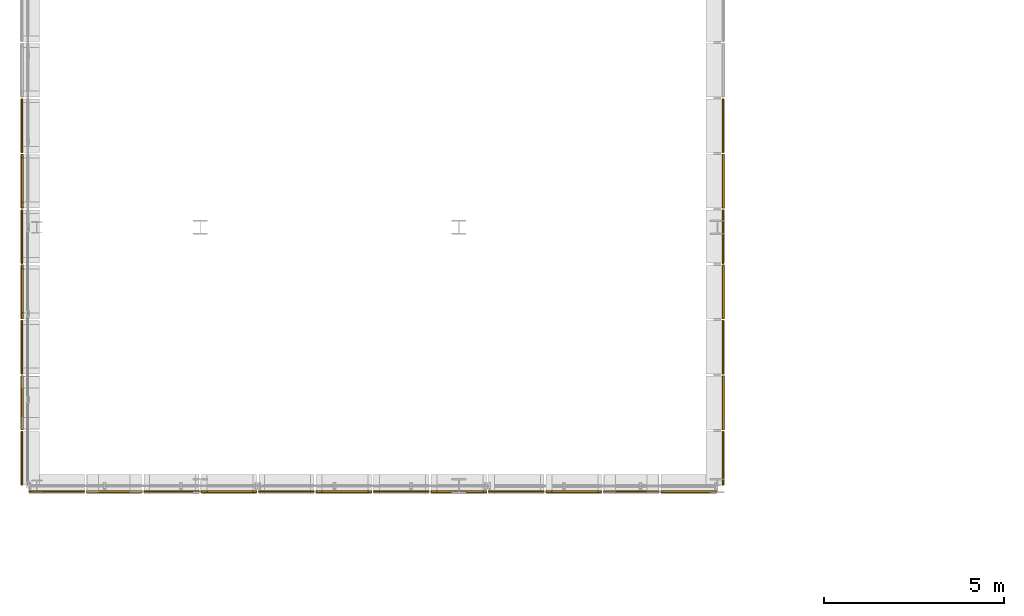
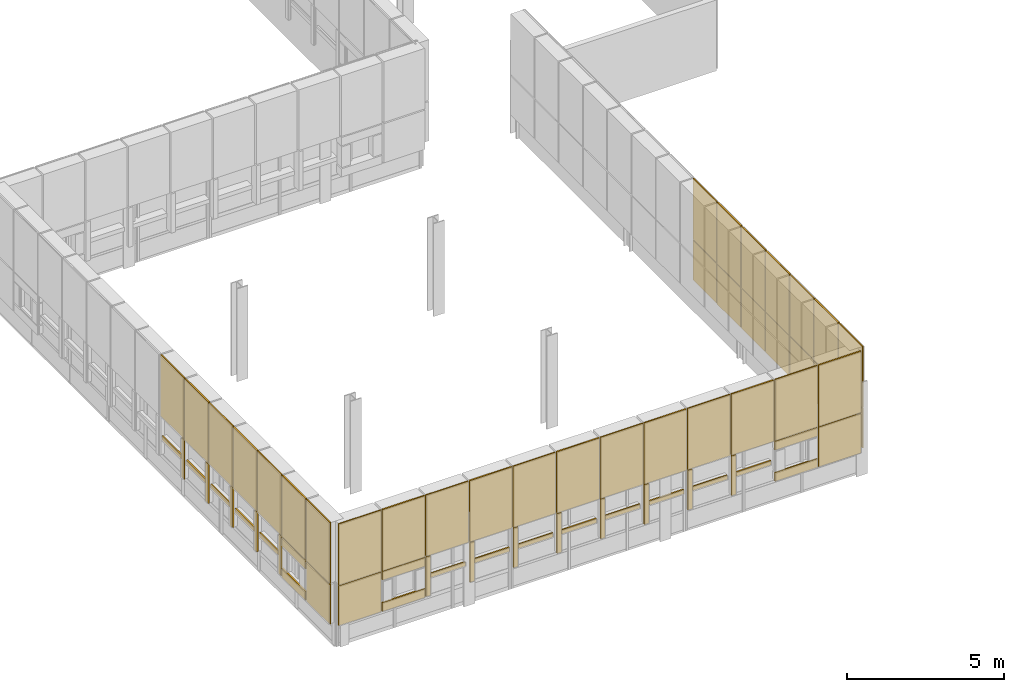
# One storey, part 75 of 96: 68 coverings.
"""IFC4 building model written with IfcOpenShell, lengths in metres."""

from ifc_helpers import new_model, si_unit, direction, frame, origin, origin_2d, place, context, subcontext, project, spatial, rectangle, extrude, material, layer, layer_set, type_object, element, save


model = new_model("IFC4")

# Units and contexts
model_context = context("Model", 3, precision=1e-05, world=origin(), true_north=direction((0.0, 1.0)))
body_context = subcontext(model_context, "Body", "Model", "MODEL_VIEW")
ifc_project = project(units=[si_unit("LENGTHUNIT", "METRE"), si_unit("AREAUNIT", "SQUARE_METRE"), si_unit("VOLUMEUNIT", "CUBIC_METRE"), si_unit("PLANEANGLEUNIT", "RADIAN"), si_unit("MASSUNIT", "GRAM", prefix="KILO")], contexts=[model_context])

# Site, building, storey
site_placement = place(None, origin())
site = spatial("IfcSite", under=ifc_project, at=site_placement, CompositionType="ELEMENT")
building_placement = place(site_placement, origin())
building = spatial("IfcBuilding", under=site, at=building_placement, Name="Yarey Park Central Fire Station", CompositionType="ELEMENT")
storey_placement = place(building_placement, frame((0.0, 0.0, 14.39990234375)))
storey = spatial("IfcBuildingStorey", under=building, at=storey_placement, Name="L04", CompositionType="ELEMENT", Elevation=14.39990234375)

# Coverings
ifc_material = material(Name="Perforated Powder-Coated Aluminium Cladding", Category="aluminium")
ifc_layer_1 = layer(ifc_material, 0.0419921875)
ifc_layer_set_1 = layer_set([ifc_layer_1], Name="Perforated Powder-Coated Aluminium Cladding")
covering_type_1 = type_object("IfcCoveringType", Name="ENV_COV_PERF_1", PredefinedType="CLADDING", material=ifc_layer_set_1)
covering_1_placement = place(storey_placement, frame((9.43994140625, 22.371337890625, 0.864990234375), z_axis=(0.0, 0.0, 1.0), x_axis=(0.0, 1.0, 0.0)))
element("IfcCovering", 1, at=covering_1_placement, inside=storey, type_object=covering_type_1, Name="PERF_L04_0004", PredefinedType="CLADDING", context=body_context, shape_type="SweptSolid", body=[
    extrude(rectangle(XDim=1.5029296875, YDim=0.0419921875, at=origin_2d()), origin(), (0.0, 0.0, 1.0), 1.5400390625),
])
covering_2_placement = place(storey_placement, frame((9.43994140625, 22.371337890625, 2.43505859375), z_axis=(0.0, 0.0, 1.0), x_axis=(0.0, 1.0, 0.0)))
element("IfcCovering", 2, at=covering_2_placement, inside=storey, type_object=covering_type_1, Name="PERF_L04_0005", PredefinedType="CLADDING", context=body_context, shape_type="SweptSolid", body=[
    extrude(rectangle(XDim=1.5029296875, YDim=0.0419921875, at=origin_2d()), origin(), (0.0, 0.0, 1.0), 2.3701171875),
])
covering_3_placement = place(storey_placement, frame((9.43994140625, 24.795654296875, 0.864990234375), z_axis=(0.0, 0.0, 1.0), x_axis=(0.0, 1.0, 0.0)))
element("IfcCovering", 3, at=covering_3_placement, inside=storey, type_object=covering_type_1, Name="PERF_L04_0021", PredefinedType="CLADDING", context=body_context, shape_type="SweptSolid", body=[
    extrude(rectangle(XDim=0.159912109375, YDim=0.0419921875, at=origin_2d()), origin(), (0.0, 0.0, 1.0), 1.5400390625),
])
covering_4_placement = place(storey_placement, frame((9.43994140625, 25.45703125, 1.55517578125), z_axis=(0.0, 0.0, 1.0), x_axis=(0.0, 1.0, 0.0)))
element("IfcCovering", 4, at=covering_4_placement, inside=storey, type_object=covering_type_1, Name="PERF_L04_0022", PredefinedType="CLADDING", context=body_context, shape_type="SweptSolid", body=[
    extrude(rectangle(XDim=1.302978515625, YDim=0.0419921875, at=origin_2d()), origin(), (0.0, 0.0, 1.0), 0.159912109375),
])
covering_5_placement = place(storey_placement, frame((9.43994140625, 25.45703125, 2.43505859375), z_axis=(0.0, 0.0, 1.0), x_axis=(0.0, 1.0, 0.0)))
element("IfcCovering", 5, at=covering_5_placement, inside=storey, type_object=covering_type_1, Name="PERF_L04_0023", PredefinedType="CLADDING", context=body_context, shape_type="SweptSolid", body=[
    extrude(rectangle(XDim=1.5029296875, YDim=0.0419921875, at=origin_2d()), origin(), (0.0, 0.0, 1.0), 2.3701171875),
])
covering_6_placement = place(storey_placement, frame((9.43994140625, 27.881591796875, 0.864990234375), z_axis=(0.0, 0.0, 1.0), x_axis=(0.0, 1.0, 0.0)))
element("IfcCovering", 6, at=covering_6_placement, inside=storey, type_object=covering_type_1, Name="PERF_L04_0035", PredefinedType="CLADDING", context=body_context, shape_type="SweptSolid", body=[
    extrude(rectangle(XDim=0.159912109375, YDim=0.0419921875, at=origin_2d()), origin(), (0.0, 0.0, 1.0), 1.5400390625),
])
covering_7_placement = place(storey_placement, frame((9.43994140625, 28.54296875, 1.55517578125), z_axis=(0.0, 0.0, 1.0), x_axis=(0.0, 1.0, 0.0)))
element("IfcCovering", 7, at=covering_7_placement, inside=storey, type_object=covering_type_1, Name="PERF_L04_0036", PredefinedType="CLADDING", context=body_context, shape_type="SweptSolid", body=[
    extrude(rectangle(XDim=1.302978515625, YDim=0.0419921875, at=origin_2d()), origin(), (0.0, 0.0, 1.0), 0.159912109375),
])
covering_8_placement = place(storey_placement, frame((9.43994140625, 28.54296875, 2.43505859375), z_axis=(0.0, 0.0, 1.0), x_axis=(0.0, 1.0, 0.0)))
element("IfcCovering", 8, at=covering_8_placement, inside=storey, type_object=covering_type_1, Name="PERF_L04_0037", PredefinedType="CLADDING", context=body_context, shape_type="SweptSolid", body=[
    extrude(rectangle(XDim=1.5029296875, YDim=0.0419921875, at=origin_2d()), origin(), (0.0, 0.0, 1.0), 2.3701171875),
])
covering_9_placement = place(storey_placement, frame((9.43994140625, 30.96728515625, 0.864990234375), z_axis=(0.0, 0.0, 1.0), x_axis=(0.0, 1.0, 0.0)))
element("IfcCovering", 9, at=covering_9_placement, inside=storey, type_object=covering_type_1, Name="PERF_L04_0049", PredefinedType="CLADDING", context=body_context, shape_type="SweptSolid", body=[
    extrude(rectangle(XDim=0.159912109375, YDim=0.0419921875, at=origin_2d()), origin(), (0.0, 0.0, 1.0), 1.5400390625),
])
covering_10_placement = place(storey_placement, frame((9.43994140625, 31.628662109375, 1.55517578125), z_axis=(0.0, 0.0, 1.0), x_axis=(0.0, 1.0, 0.0)))
element("IfcCovering", 10, at=covering_10_placement, inside=storey, type_object=covering_type_1, Name="PERF_L04_0050", PredefinedType="CLADDING", context=body_context, shape_type="SweptSolid", body=[
    extrude(rectangle(XDim=1.302978515625, YDim=0.0419921875, at=origin_2d()), origin(), (0.0, 0.0, 1.0), 0.159912109375),
])
covering_11_placement = place(storey_placement, frame((9.43994140625, 31.628662109375, 2.43505859375), z_axis=(0.0, 0.0, 1.0), x_axis=(0.0, 1.0, 0.0)))
element("IfcCovering", 11, at=covering_11_placement, inside=storey, type_object=covering_type_1, Name="PERF_L04_0051", PredefinedType="CLADDING", context=body_context, shape_type="SweptSolid", body=[
    extrude(rectangle(XDim=1.5029296875, YDim=0.0419921875, at=origin_2d()), origin(), (0.0, 0.0, 1.0), 2.3701171875),
])
covering_12_placement = place(storey_placement, frame((10.39990234375, 21.43994140625, 0.864990234375), z_axis=(0.0, 0.0, 1.0), x_axis=(1.0, 0.0, 0.0)))
element("IfcCovering", 12, at=covering_12_placement, inside=storey, type_object=covering_type_1, Name="PERF_L04_0106", PredefinedType="CLADDING", context=body_context, shape_type="SweptSolid", body=[
    extrude(rectangle(XDim=1.56005859375, YDim=0.0419921875, at=origin_2d()), origin(), (0.0, 0.0, 1.0), 1.5400390625),
])
covering_13_placement = place(storey_placement, frame((10.39990234375, 21.43994140625, 2.43505859375), z_axis=(0.0, 0.0, 1.0), x_axis=(1.0, 0.0, 0.0)))
element("IfcCovering", 13, at=covering_13_placement, inside=storey, type_object=covering_type_1, Name="PERF_L04_0107", PredefinedType="CLADDING", context=body_context, shape_type="SweptSolid", body=[
    extrude(rectangle(XDim=1.56005859375, YDim=0.0419921875, at=origin_2d()), origin(), (0.0, 0.0, 1.0), 2.3701171875),
])
covering_14_placement = place(storey_placement, frame((12.909912109375, 21.43994140625, 0.864990234375), z_axis=(0.0, 0.0, 1.0), x_axis=(1.0, 0.0, 0.0)))
element("IfcCovering", 14, at=covering_14_placement, inside=storey, type_object=covering_type_1, Name="PERF_L04_0123", PredefinedType="CLADDING", context=body_context, shape_type="SweptSolid", body=[
    extrude(rectangle(XDim=0.159912109375, YDim=0.0419921875, at=origin_2d()), origin(), (0.0, 0.0, 1.0), 1.5400390625),
])
covering_15_placement = place(storey_placement, frame((13.60009765625, 21.43994140625, 1.55517578125), z_axis=(0.0, 0.0, 1.0), x_axis=(1.0, 0.0, 0.0)))
element("IfcCovering", 15, at=covering_15_placement, inside=storey, type_object=covering_type_1, Name="PERF_L04_0124", PredefinedType="CLADDING", context=body_context, shape_type="SweptSolid", body=[
    extrude(rectangle(XDim=1.360107421875, YDim=0.0419921875, at=origin_2d()), origin(), (0.0, 0.0, 1.0), 0.159912109375),
])
covering_16_placement = place(storey_placement, frame((13.60009765625, 21.43994140625, 2.43505859375), z_axis=(0.0, 0.0, 1.0), x_axis=(1.0, 0.0, 0.0)))
element("IfcCovering", 16, at=covering_16_placement, inside=storey, type_object=covering_type_1, Name="PERF_L04_0125", PredefinedType="CLADDING", context=body_context, shape_type="SweptSolid", body=[
    extrude(rectangle(XDim=1.56005859375, YDim=0.0419921875, at=origin_2d()), origin(), (0.0, 0.0, 1.0), 2.3701171875),
])
covering_17_placement = place(storey_placement, frame((16.110107421875, 21.43994140625, 0.864990234375), z_axis=(0.0, 0.0, 1.0), x_axis=(1.0, 0.0, 0.0)))
element("IfcCovering", 17, at=covering_17_placement, inside=storey, type_object=covering_type_1, Name="PERF_L04_0137", PredefinedType="CLADDING", context=body_context, shape_type="SweptSolid", body=[
    extrude(rectangle(XDim=0.159912109375, YDim=0.0419921875, at=origin_2d()), origin(), (0.0, 0.0, 1.0), 1.5400390625),
])
covering_18_placement = place(storey_placement, frame((16.800048828125, 21.43994140625, 1.55517578125), z_axis=(0.0, 0.0, 1.0), x_axis=(1.0, 0.0, 0.0)))
element("IfcCovering", 18, at=covering_18_placement, inside=storey, type_object=covering_type_1, Name="PERF_L04_0138", PredefinedType="CLADDING", context=body_context, shape_type="SweptSolid", body=[
    extrude(rectangle(XDim=1.360107421875, YDim=0.0419921875, at=origin_2d()), origin(), (0.0, 0.0, 1.0), 0.159912109375),
])
covering_19_placement = place(storey_placement, frame((16.800048828125, 21.43994140625, 2.43505859375), z_axis=(0.0, 0.0, 1.0), x_axis=(1.0, 0.0, 0.0)))
element("IfcCovering", 19, at=covering_19_placement, inside=storey, type_object=covering_type_1, Name="PERF_L04_0139", PredefinedType="CLADDING", context=body_context, shape_type="SweptSolid", body=[
    extrude(rectangle(XDim=1.56005859375, YDim=0.0419921875, at=origin_2d()), origin(), (0.0, 0.0, 1.0), 2.3701171875),
])
covering_20_placement = place(storey_placement, frame((19.31005859375, 21.43994140625, 0.864990234375), z_axis=(0.0, 0.0, 1.0), x_axis=(1.0, 0.0, 0.0)))
element("IfcCovering", 20, at=covering_20_placement, inside=storey, type_object=covering_type_1, Name="PERF_L04_0151", PredefinedType="CLADDING", context=body_context, shape_type="SweptSolid", body=[
    extrude(rectangle(XDim=0.159912109375, YDim=0.0419921875, at=origin_2d()), origin(), (0.0, 0.0, 1.0), 1.5400390625),
])
covering_21_placement = place(storey_placement, frame((20.0, 21.43994140625, 1.55517578125), z_axis=(0.0, 0.0, 1.0), x_axis=(1.0, 0.0, 0.0)))
element("IfcCovering", 21, at=covering_21_placement, inside=storey, type_object=covering_type_1, Name="PERF_L04_0152", PredefinedType="CLADDING", context=body_context, shape_type="SweptSolid", body=[
    extrude(rectangle(XDim=1.360107421875, YDim=0.0419921875, at=origin_2d()), origin(), (0.0, 0.0, 1.0), 0.159912109375),
])
covering_22_placement = place(storey_placement, frame((20.0, 21.43994140625, 2.43505859375), z_axis=(0.0, 0.0, 1.0), x_axis=(1.0, 0.0, 0.0)))
element("IfcCovering", 22, at=covering_22_placement, inside=storey, type_object=covering_type_1, Name="PERF_L04_0153", PredefinedType="CLADDING", context=body_context, shape_type="SweptSolid", body=[
    extrude(rectangle(XDim=1.56005859375, YDim=0.0419921875, at=origin_2d()), origin(), (0.0, 0.0, 1.0), 2.3701171875),
])
covering_23_placement = place(storey_placement, frame((22.510009765625, 21.43994140625, 0.864990234375), z_axis=(0.0, 0.0, 1.0), x_axis=(1.0, 0.0, 0.0)))
element("IfcCovering", 23, at=covering_23_placement, inside=storey, type_object=covering_type_1, Name="PERF_L04_0165", PredefinedType="CLADDING", context=body_context, shape_type="SweptSolid", body=[
    extrude(rectangle(XDim=0.159912109375, YDim=0.0419921875, at=origin_2d()), origin(), (0.0, 0.0, 1.0), 1.5400390625),
])
covering_24_placement = place(storey_placement, frame((23.199951171875, 21.43994140625, 1.55517578125), z_axis=(0.0, 0.0, 1.0), x_axis=(1.0, 0.0, 0.0)))
element("IfcCovering", 24, at=covering_24_placement, inside=storey, type_object=covering_type_1, Name="PERF_L04_0166", PredefinedType="CLADDING", context=body_context, shape_type="SweptSolid", body=[
    extrude(rectangle(XDim=1.360107421875, YDim=0.0419921875, at=origin_2d()), origin(), (0.0, 0.0, 1.0), 0.159912109375),
])
covering_25_placement = place(storey_placement, frame((23.199951171875, 21.43994140625, 2.43505859375), z_axis=(0.0, 0.0, 1.0), x_axis=(1.0, 0.0, 0.0)))
element("IfcCovering", 25, at=covering_25_placement, inside=storey, type_object=covering_type_1, Name="PERF_L04_0167", PredefinedType="CLADDING", context=body_context, shape_type="SweptSolid", body=[
    extrude(rectangle(XDim=1.56005859375, YDim=0.0419921875, at=origin_2d()), origin(), (0.0, 0.0, 1.0), 2.3701171875),
])
for number, where, z_axis, x_axis, name in (
    (26, (26.39990234375, 21.43994140625, 0.85986328125), (0.0, 0.0, 1.0), (1.0, 0.0, 0.0), "PERF_L04_0181"),
    (27, (26.39990234375, 21.43994140625, 2.06982421875), (0.0, 0.0, 1.0), (1.0, 0.0, 0.0), "PERF_L04_0182"),
):
    element("IfcCovering", number, at=place(storey_placement, frame(where, z_axis=z_axis, x_axis=x_axis)), inside=storey, type_object=covering_type_1, Name=name, PredefinedType="CLADDING", context=body_context, shape_type="SweptSolid", body=[
        extrude(rectangle(XDim=1.56005859375, YDim=0.0419921875, at=origin_2d()), origin(), (0.0, 0.0, 1.0), 0.340087890625),
    ])
covering_26_placement = place(storey_placement, frame((26.39990234375, 21.43994140625, 2.43505859375), z_axis=(0.0, 0.0, 1.0), x_axis=(1.0, 0.0, 0.0)))
element("IfcCovering", 28, at=covering_26_placement, inside=storey, type_object=covering_type_1, Name="PERF_L04_0185", PredefinedType="CLADDING", context=body_context, shape_type="SweptSolid", body=[
    extrude(rectangle(XDim=1.56005859375, YDim=0.0419921875, at=origin_2d()), origin(), (0.0, 0.0, 1.0), 2.3701171875),
])
covering_27_placement = place(storey_placement, frame((28.9599609375, 22.371337890625, 0.864990234375), z_axis=(0.0, 0.0, 1.0), x_axis=(0.0, 1.0, 0.0)))
element("IfcCovering", 29, at=covering_27_placement, inside=storey, type_object=covering_type_1, Name="PERF_L04_0920", PredefinedType="CLADDING", context=body_context, shape_type="SweptSolid", body=[
    extrude(rectangle(XDim=1.5029296875, YDim=0.0419921875, at=origin_2d()), origin(), (0.0, 0.0, 1.0), 1.5400390625),
])
covering_28_placement = place(storey_placement, frame((28.9599609375, 22.371337890625, 2.43505859375), z_axis=(0.0, 0.0, 1.0), x_axis=(0.0, 1.0, 0.0)))
element("IfcCovering", 30, at=covering_28_placement, inside=storey, type_object=covering_type_1, Name="PERF_L04_0921", PredefinedType="CLADDING", context=body_context, shape_type="SweptSolid", body=[
    extrude(rectangle(XDim=1.5029296875, YDim=0.0419921875, at=origin_2d()), origin(), (0.0, 0.0, 1.0), 2.3701171875),
])
covering_29_placement = place(storey_placement, frame((28.9599609375, 25.45703125, 0.864990234375), z_axis=(0.0, 0.0, 1.0), x_axis=(0.0, 1.0, 0.0)))
element("IfcCovering", 31, at=covering_29_placement, inside=storey, type_object=covering_type_1, Name="PERF_L04_0930", PredefinedType="CLADDING", context=body_context, shape_type="SweptSolid", body=[
    extrude(rectangle(XDim=1.5029296875, YDim=0.0419921875, at=origin_2d()), origin(), (0.0, 0.0, 1.0), 1.5400390625),
])
covering_30_placement = place(storey_placement, frame((28.9599609375, 25.45703125, 2.43505859375), z_axis=(0.0, 0.0, 1.0), x_axis=(0.0, 1.0, 0.0)))
element("IfcCovering", 32, at=covering_30_placement, inside=storey, type_object=covering_type_1, Name="PERF_L04_0931", PredefinedType="CLADDING", context=body_context, shape_type="SweptSolid", body=[
    extrude(rectangle(XDim=1.5029296875, YDim=0.0419921875, at=origin_2d()), origin(), (0.0, 0.0, 1.0), 2.3701171875),
])
covering_31_placement = place(storey_placement, frame((28.9599609375, 28.54296875, 0.864990234375), z_axis=(0.0, 0.0, 1.0), x_axis=(0.0, 1.0, 0.0)))
element("IfcCovering", 33, at=covering_31_placement, inside=storey, type_object=covering_type_1, Name="PERF_L04_0940", PredefinedType="CLADDING", context=body_context, shape_type="SweptSolid", body=[
    extrude(rectangle(XDim=1.5029296875, YDim=0.0419921875, at=origin_2d()), origin(), (0.0, 0.0, 1.0), 1.5400390625),
])
covering_32_placement = place(storey_placement, frame((28.9599609375, 28.54296875, 2.43505859375), z_axis=(0.0, 0.0, 1.0), x_axis=(0.0, 1.0, 0.0)))
element("IfcCovering", 34, at=covering_32_placement, inside=storey, type_object=covering_type_1, Name="PERF_L04_0941", PredefinedType="CLADDING", context=body_context, shape_type="SweptSolid", body=[
    extrude(rectangle(XDim=1.5029296875, YDim=0.0419921875, at=origin_2d()), origin(), (0.0, 0.0, 1.0), 2.3701171875),
])
covering_33_placement = place(storey_placement, frame((28.9599609375, 31.628662109375, 0.864990234375), z_axis=(0.0, 0.0, 1.0), x_axis=(0.0, 1.0, 0.0)))
element("IfcCovering", 35, at=covering_33_placement, inside=storey, type_object=covering_type_1, Name="PERF_L04_0950", PredefinedType="CLADDING", context=body_context, shape_type="SweptSolid", body=[
    extrude(rectangle(XDim=1.5029296875, YDim=0.0419921875, at=origin_2d()), origin(), (0.0, 0.0, 1.0), 1.5400390625),
])
covering_34_placement = place(storey_placement, frame((28.9599609375, 31.628662109375, 2.43505859375), z_axis=(0.0, 0.0, 1.0), x_axis=(0.0, 1.0, 0.0)))
element("IfcCovering", 36, at=covering_34_placement, inside=storey, type_object=covering_type_1, Name="PERF_L04_0951", PredefinedType="CLADDING", context=body_context, shape_type="SweptSolid", body=[
    extrude(rectangle(XDim=1.5029296875, YDim=0.0419921875, at=origin_2d()), origin(), (0.0, 0.0, 1.0), 2.3701171875),
])
ifc_layer_2 = layer(ifc_material, 0.053955078125)
ifc_layer_set_2 = layer_set([ifc_layer_2], Name="Perforated Powder-Coated Aluminium Cladding")
covering_type_2 = type_object("IfcCoveringType", Name="ENV_COV_PERF_2", PredefinedType="CLADDING", material=ifc_layer_set_2)
for number, where, z_axis, x_axis, name in (
    (37, (9.43994140625, 23.914306640625, 0.85986328125), (0.0, 0.0, 1.0), (0.0, 1.0, 0.0), "PERF_L04_0012"),
    (38, (9.43994140625, 23.914306640625, 2.06982421875), (0.0, 0.0, 1.0), (0.0, 1.0, 0.0), "PERF_L04_0013"),
):
    element("IfcCovering", number, at=place(storey_placement, frame(where, z_axis=z_axis, x_axis=x_axis)), inside=storey, type_object=covering_type_2, Name=name, PredefinedType="CLADDING", context=body_context, shape_type="SweptSolid", body=[
        extrude(rectangle(XDim=1.5029296875, YDim=0.053955078125, at=origin_2d()), origin(), (0.0, 0.0, 1.0), 0.340087890625),
    ])
covering_35_placement = place(storey_placement, frame((9.43994140625, 23.914306640625, 2.43505859375), z_axis=(0.0, 0.0, 1.0), x_axis=(0.0, 1.0, 0.0)))
element("IfcCovering", 39, at=covering_35_placement, inside=storey, type_object=covering_type_2, Name="PERF_L04_0016", PredefinedType="CLADDING", context=body_context, shape_type="SweptSolid", body=[
    extrude(rectangle(XDim=1.5029296875, YDim=0.053955078125, at=origin_2d()), origin(), (0.0, 0.0, 1.0), 2.3701171875),
])
covering_36_placement = place(storey_placement, frame((9.43994140625, 26.338623046875, 0.864990234375), z_axis=(0.0, 0.0, 1.0), x_axis=(0.0, 1.0, 0.0)))
element("IfcCovering", 40, at=covering_36_placement, inside=storey, type_object=covering_type_2, Name="PERF_L04_0028", PredefinedType="CLADDING", context=body_context, shape_type="SweptSolid", body=[
    extrude(rectangle(XDim=0.159912109375, YDim=0.053955078125, at=origin_2d()), origin(), (0.0, 0.0, 1.0), 1.5400390625),
])
covering_37_placement = place(storey_placement, frame((9.43994140625, 27.0, 1.55517578125), z_axis=(0.0, 0.0, 1.0), x_axis=(0.0, 1.0, 0.0)))
element("IfcCovering", 41, at=covering_37_placement, inside=storey, type_object=covering_type_2, Name="PERF_L04_0029", PredefinedType="CLADDING", context=body_context, shape_type="SweptSolid", body=[
    extrude(rectangle(XDim=1.302978515625, YDim=0.053955078125, at=origin_2d()), origin(), (0.0, 0.0, 1.0), 0.159912109375),
])
covering_38_placement = place(storey_placement, frame((9.43994140625, 27.0, 2.43505859375), z_axis=(0.0, 0.0, 1.0), x_axis=(0.0, 1.0, 0.0)))
element("IfcCovering", 42, at=covering_38_placement, inside=storey, type_object=covering_type_2, Name="PERF_L04_0030", PredefinedType="CLADDING", context=body_context, shape_type="SweptSolid", body=[
    extrude(rectangle(XDim=1.5029296875, YDim=0.053955078125, at=origin_2d()), origin(), (0.0, 0.0, 1.0), 2.3701171875),
])
covering_39_placement = place(storey_placement, frame((9.43994140625, 29.42431640625, 0.864990234375), z_axis=(0.0, 0.0, 1.0), x_axis=(0.0, 1.0, 0.0)))
element("IfcCovering", 43, at=covering_39_placement, inside=storey, type_object=covering_type_2, Name="PERF_L04_0042", PredefinedType="CLADDING", context=body_context, shape_type="SweptSolid", body=[
    extrude(rectangle(XDim=0.159912109375, YDim=0.053955078125, at=origin_2d()), origin(), (0.0, 0.0, 1.0), 1.5400390625),
])
covering_40_placement = place(storey_placement, frame((9.43994140625, 30.085693359375, 1.55517578125), z_axis=(0.0, 0.0, 1.0), x_axis=(0.0, 1.0, 0.0)))
element("IfcCovering", 44, at=covering_40_placement, inside=storey, type_object=covering_type_2, Name="PERF_L04_0043", PredefinedType="CLADDING", context=body_context, shape_type="SweptSolid", body=[
    extrude(rectangle(XDim=1.302978515625, YDim=0.053955078125, at=origin_2d()), origin(), (0.0, 0.0, 1.0), 0.159912109375),
])
covering_41_placement = place(storey_placement, frame((9.43994140625, 30.085693359375, 2.43505859375), z_axis=(0.0, 0.0, 1.0), x_axis=(0.0, 1.0, 0.0)))
element("IfcCovering", 45, at=covering_41_placement, inside=storey, type_object=covering_type_2, Name="PERF_L04_0044", PredefinedType="CLADDING", context=body_context, shape_type="SweptSolid", body=[
    extrude(rectangle(XDim=1.5029296875, YDim=0.053955078125, at=origin_2d()), origin(), (0.0, 0.0, 1.0), 2.3701171875),
])
for number, where, z_axis, x_axis, name in (
    (46, (12.0, 21.43994140625, 0.85986328125), (0.0, 0.0, 1.0), (1.0, 0.0, 0.0), "PERF_L04_0114"),
    (47, (12.0, 21.43994140625, 2.06982421875), (0.0, 0.0, 1.0), (1.0, 0.0, 0.0), "PERF_L04_0115"),
):
    element("IfcCovering", number, at=place(storey_placement, frame(where, z_axis=z_axis, x_axis=x_axis)), inside=storey, type_object=covering_type_2, Name=name, PredefinedType="CLADDING", context=body_context, shape_type="SweptSolid", body=[
        extrude(rectangle(XDim=1.56005859375, YDim=0.053955078125, at=origin_2d()), origin(), (0.0, 0.0, 1.0), 0.340087890625),
    ])
covering_42_placement = place(storey_placement, frame((12.0, 21.43994140625, 2.43505859375), z_axis=(0.0, 0.0, 1.0), x_axis=(1.0, 0.0, 0.0)))
element("IfcCovering", 48, at=covering_42_placement, inside=storey, type_object=covering_type_2, Name="PERF_L04_0118", PredefinedType="CLADDING", context=body_context, shape_type="SweptSolid", body=[
    extrude(rectangle(XDim=1.56005859375, YDim=0.053955078125, at=origin_2d()), origin(), (0.0, 0.0, 1.0), 2.3701171875),
])
covering_43_placement = place(storey_placement, frame((14.510009765625, 21.43994140625, 0.864990234375), z_axis=(0.0, 0.0, 1.0), x_axis=(1.0, 0.0, 0.0)))
element("IfcCovering", 49, at=covering_43_placement, inside=storey, type_object=covering_type_2, Name="PERF_L04_0130", PredefinedType="CLADDING", context=body_context, shape_type="SweptSolid", body=[
    extrude(rectangle(XDim=0.159912109375, YDim=0.053955078125, at=origin_2d()), origin(), (0.0, 0.0, 1.0), 1.5400390625),
])
covering_44_placement = place(storey_placement, frame((15.199951171875, 21.43994140625, 1.55517578125), z_axis=(0.0, 0.0, 1.0), x_axis=(1.0, 0.0, 0.0)))
element("IfcCovering", 50, at=covering_44_placement, inside=storey, type_object=covering_type_2, Name="PERF_L04_0131", PredefinedType="CLADDING", context=body_context, shape_type="SweptSolid", body=[
    extrude(rectangle(XDim=1.360107421875, YDim=0.053955078125, at=origin_2d()), origin(), (0.0, 0.0, 1.0), 0.159912109375),
])
covering_45_placement = place(storey_placement, frame((15.199951171875, 21.43994140625, 2.43505859375), z_axis=(0.0, 0.0, 1.0), x_axis=(1.0, 0.0, 0.0)))
element("IfcCovering", 51, at=covering_45_placement, inside=storey, type_object=covering_type_2, Name="PERF_L04_0132", PredefinedType="CLADDING", context=body_context, shape_type="SweptSolid", body=[
    extrude(rectangle(XDim=1.56005859375, YDim=0.053955078125, at=origin_2d()), origin(), (0.0, 0.0, 1.0), 2.3701171875),
])
covering_46_placement = place(storey_placement, frame((17.7099609375, 21.43994140625, 0.864990234375), z_axis=(0.0, 0.0, 1.0), x_axis=(1.0, 0.0, 0.0)))
element("IfcCovering", 52, at=covering_46_placement, inside=storey, type_object=covering_type_2, Name="PERF_L04_0144", PredefinedType="CLADDING", context=body_context, shape_type="SweptSolid", body=[
    extrude(rectangle(XDim=0.159912109375, YDim=0.053955078125, at=origin_2d()), origin(), (0.0, 0.0, 1.0), 1.5400390625),
])
covering_47_placement = place(storey_placement, frame((18.39990234375, 21.43994140625, 1.55517578125), z_axis=(0.0, 0.0, 1.0), x_axis=(1.0, 0.0, 0.0)))
element("IfcCovering", 53, at=covering_47_placement, inside=storey, type_object=covering_type_2, Name="PERF_L04_0145", PredefinedType="CLADDING", context=body_context, shape_type="SweptSolid", body=[
    extrude(rectangle(XDim=1.360107421875, YDim=0.053955078125, at=origin_2d()), origin(), (0.0, 0.0, 1.0), 0.159912109375),
])
covering_48_placement = place(storey_placement, frame((18.39990234375, 21.43994140625, 2.43505859375), z_axis=(0.0, 0.0, 1.0), x_axis=(1.0, 0.0, 0.0)))
element("IfcCovering", 54, at=covering_48_placement, inside=storey, type_object=covering_type_2, Name="PERF_L04_0146", PredefinedType="CLADDING", context=body_context, shape_type="SweptSolid", body=[
    extrude(rectangle(XDim=1.56005859375, YDim=0.053955078125, at=origin_2d()), origin(), (0.0, 0.0, 1.0), 2.3701171875),
])
covering_49_placement = place(storey_placement, frame((20.909912109375, 21.43994140625, 0.864990234375), z_axis=(0.0, 0.0, 1.0), x_axis=(1.0, 0.0, 0.0)))
element("IfcCovering", 55, at=covering_49_placement, inside=storey, type_object=covering_type_2, Name="PERF_L04_0158", PredefinedType="CLADDING", context=body_context, shape_type="SweptSolid", body=[
    extrude(rectangle(XDim=0.159912109375, YDim=0.053955078125, at=origin_2d()), origin(), (0.0, 0.0, 1.0), 1.5400390625),
])
covering_50_placement = place(storey_placement, frame((21.60009765625, 21.43994140625, 1.55517578125), z_axis=(0.0, 0.0, 1.0), x_axis=(1.0, 0.0, 0.0)))
element("IfcCovering", 56, at=covering_50_placement, inside=storey, type_object=covering_type_2, Name="PERF_L04_0159", PredefinedType="CLADDING", context=body_context, shape_type="SweptSolid", body=[
    extrude(rectangle(XDim=1.360107421875, YDim=0.053955078125, at=origin_2d()), origin(), (0.0, 0.0, 1.0), 0.159912109375),
])
covering_51_placement = place(storey_placement, frame((21.60009765625, 21.43994140625, 2.43505859375), z_axis=(0.0, 0.0, 1.0), x_axis=(1.0, 0.0, 0.0)))
element("IfcCovering", 57, at=covering_51_placement, inside=storey, type_object=covering_type_2, Name="PERF_L04_0160", PredefinedType="CLADDING", context=body_context, shape_type="SweptSolid", body=[
    extrude(rectangle(XDim=1.56005859375, YDim=0.053955078125, at=origin_2d()), origin(), (0.0, 0.0, 1.0), 2.3701171875),
])
covering_52_placement = place(storey_placement, frame((24.110107421875, 21.43994140625, 0.864990234375), z_axis=(0.0, 0.0, 1.0), x_axis=(1.0, 0.0, 0.0)))
element("IfcCovering", 58, at=covering_52_placement, inside=storey, type_object=covering_type_2, Name="PERF_L04_0172", PredefinedType="CLADDING", context=body_context, shape_type="SweptSolid", body=[
    extrude(rectangle(XDim=0.159912109375, YDim=0.053955078125, at=origin_2d()), origin(), (0.0, 0.0, 1.0), 1.5400390625),
])
covering_53_placement = place(storey_placement, frame((24.800048828125, 21.43994140625, 1.55517578125), z_axis=(0.0, 0.0, 1.0), x_axis=(1.0, 0.0, 0.0)))
element("IfcCovering", 59, at=covering_53_placement, inside=storey, type_object=covering_type_2, Name="PERF_L04_0173", PredefinedType="CLADDING", context=body_context, shape_type="SweptSolid", body=[
    extrude(rectangle(XDim=1.360107421875, YDim=0.053955078125, at=origin_2d()), origin(), (0.0, 0.0, 1.0), 0.159912109375),
])
covering_54_placement = place(storey_placement, frame((24.800048828125, 21.43994140625, 2.43505859375), z_axis=(0.0, 0.0, 1.0), x_axis=(1.0, 0.0, 0.0)))
element("IfcCovering", 60, at=covering_54_placement, inside=storey, type_object=covering_type_2, Name="PERF_L04_0174", PredefinedType="CLADDING", context=body_context, shape_type="SweptSolid", body=[
    extrude(rectangle(XDim=1.56005859375, YDim=0.053955078125, at=origin_2d()), origin(), (0.0, 0.0, 1.0), 2.3701171875),
])
covering_55_placement = place(storey_placement, frame((28.0, 21.43994140625, 0.864990234375), z_axis=(0.0, 0.0, 1.0), x_axis=(1.0, 0.0, 0.0)))
element("IfcCovering", 61, at=covering_55_placement, inside=storey, type_object=covering_type_2, Name="PERF_L04_0189", PredefinedType="CLADDING", context=body_context, shape_type="SweptSolid", body=[
    extrude(rectangle(XDim=1.56005859375, YDim=0.053955078125, at=origin_2d()), origin(), (0.0, 0.0, 1.0), 1.5400390625),
])
covering_56_placement = place(storey_placement, frame((28.0, 21.43994140625, 2.43505859375), z_axis=(0.0, 0.0, 1.0), x_axis=(1.0, 0.0, 0.0)))
element("IfcCovering", 62, at=covering_56_placement, inside=storey, type_object=covering_type_2, Name="PERF_L04_0190", PredefinedType="CLADDING", context=body_context, shape_type="SweptSolid", body=[
    extrude(rectangle(XDim=1.56005859375, YDim=0.053955078125, at=origin_2d()), origin(), (0.0, 0.0, 1.0), 2.3701171875),
])
covering_57_placement = place(storey_placement, frame((28.9599609375, 23.914306640625, 0.864990234375), z_axis=(0.0, 0.0, 1.0), x_axis=(0.0, 1.0, 0.0)))
element("IfcCovering", 63, at=covering_57_placement, inside=storey, type_object=covering_type_2, Name="PERF_L04_0925", PredefinedType="CLADDING", context=body_context, shape_type="SweptSolid", body=[
    extrude(rectangle(XDim=1.5029296875, YDim=0.053955078125, at=origin_2d()), origin(), (0.0, 0.0, 1.0), 1.5400390625),
])
covering_58_placement = place(storey_placement, frame((28.9599609375, 23.914306640625, 2.43505859375), z_axis=(0.0, 0.0, 1.0), x_axis=(0.0, 1.0, 0.0)))
element("IfcCovering", 64, at=covering_58_placement, inside=storey, type_object=covering_type_2, Name="PERF_L04_0926", PredefinedType="CLADDING", context=body_context, shape_type="SweptSolid", body=[
    extrude(rectangle(XDim=1.5029296875, YDim=0.053955078125, at=origin_2d()), origin(), (0.0, 0.0, 1.0), 2.3701171875),
])
covering_59_placement = place(storey_placement, frame((28.9599609375, 27.0, 0.864990234375), z_axis=(0.0, 0.0, 1.0), x_axis=(0.0, 1.0, 0.0)))
element("IfcCovering", 65, at=covering_59_placement, inside=storey, type_object=covering_type_2, Name="PERF_L04_0935", PredefinedType="CLADDING", context=body_context, shape_type="SweptSolid", body=[
    extrude(rectangle(XDim=1.5029296875, YDim=0.053955078125, at=origin_2d()), origin(), (0.0, 0.0, 1.0), 1.5400390625),
])
covering_60_placement = place(storey_placement, frame((28.9599609375, 27.0, 2.43505859375), z_axis=(0.0, 0.0, 1.0), x_axis=(0.0, 1.0, 0.0)))
element("IfcCovering", 66, at=covering_60_placement, inside=storey, type_object=covering_type_2, Name="PERF_L04_0936", PredefinedType="CLADDING", context=body_context, shape_type="SweptSolid", body=[
    extrude(rectangle(XDim=1.5029296875, YDim=0.053955078125, at=origin_2d()), origin(), (0.0, 0.0, 1.0), 2.3701171875),
])
covering_61_placement = place(storey_placement, frame((28.9599609375, 30.085693359375, 0.864990234375), z_axis=(0.0, 0.0, 1.0), x_axis=(0.0, 1.0, 0.0)))
element("IfcCovering", 67, at=covering_61_placement, inside=storey, type_object=covering_type_2, Name="PERF_L04_0945", PredefinedType="CLADDING", context=body_context, shape_type="SweptSolid", body=[
    extrude(rectangle(XDim=1.5029296875, YDim=0.053955078125, at=origin_2d()), origin(), (0.0, 0.0, 1.0), 1.5400390625),
])
covering_62_placement = place(storey_placement, frame((28.9599609375, 30.085693359375, 2.43505859375), z_axis=(0.0, 0.0, 1.0), x_axis=(0.0, 1.0, 0.0)))
element("IfcCovering", 68, at=covering_62_placement, inside=storey, type_object=covering_type_2, Name="PERF_L04_0946", PredefinedType="CLADDING", context=body_context, shape_type="SweptSolid", body=[
    extrude(rectangle(XDim=1.5029296875, YDim=0.053955078125, at=origin_2d()), origin(), (0.0, 0.0, 1.0), 2.3701171875),
])

save(model, "model.ifc")
